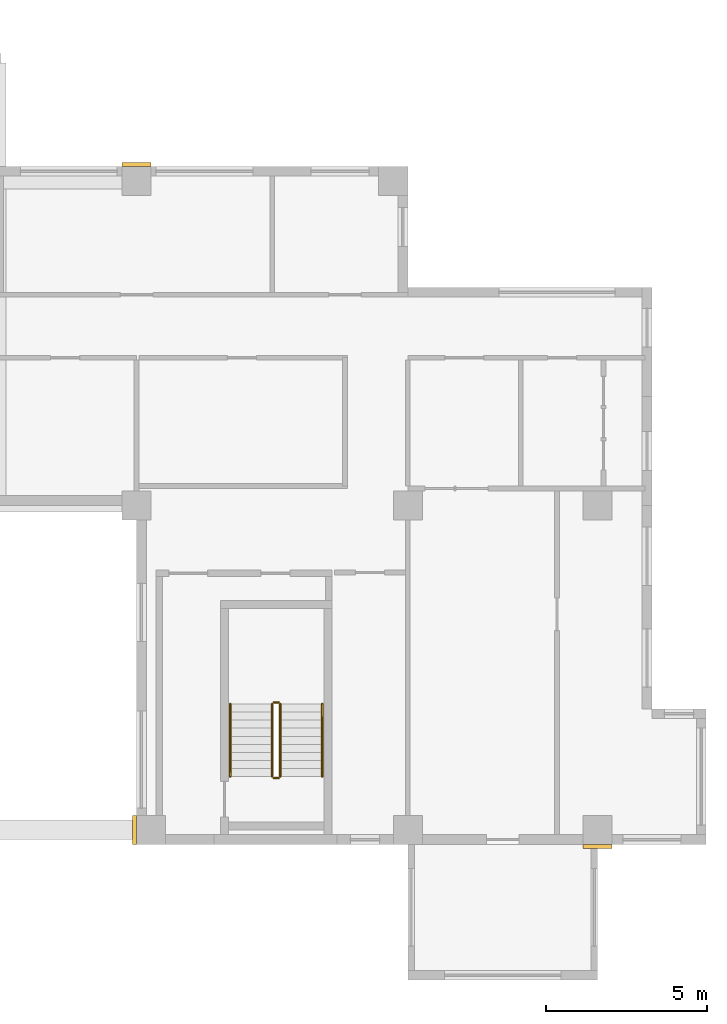
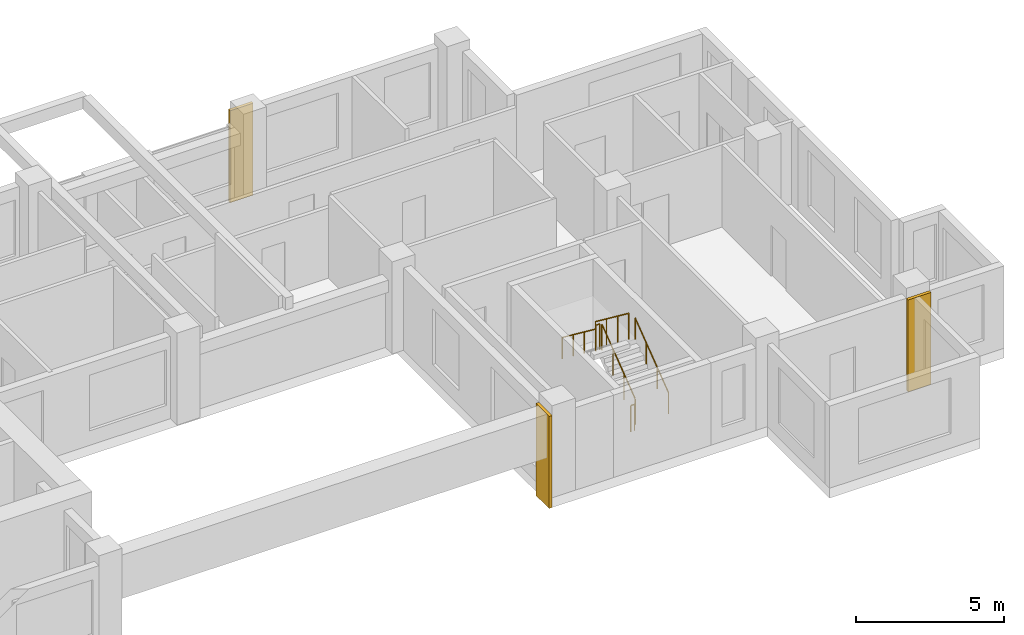
# One storey, part 10 of 11: 6 railings, 3 coverings.
"""IFC4 building model written with IfcOpenShell, lengths in metres."""

from ifc_helpers import new_model, si_unit, direction, frame, origin, origin_2d, place, context, subcontext, project, spatial, rectangle, circle, extrude, source, transform, mapped, material, type_object, element, save


model = new_model("IFC4")

# Units and contexts
model_context = context("Model", 3, precision=1e-05, world=origin(), true_north=direction((0.0, 1.0)))
body_context = subcontext(model_context, "Body", "Model", "MODEL_VIEW")
ifc_project = project(units=[si_unit("LENGTHUNIT", "METRE"), si_unit("AREAUNIT", "SQUARE_METRE"), si_unit("VOLUMEUNIT", "CUBIC_METRE"), si_unit("PLANEANGLEUNIT", "RADIAN"), si_unit("MASSUNIT", "GRAM", prefix="KILO")], contexts=[model_context])

# Site, building, storey
site_placement = place(None, origin())
site = spatial("IfcSite", under=ifc_project, at=site_placement, CompositionType="ELEMENT")
building_placement = place(site_placement, origin())
building = spatial("IfcBuilding", under=site, at=building_placement, Name="Aurelian Terraces", CompositionType="ELEMENT")
storey_placement = place(building_placement, frame((0.0, 0.0, 212.0)))
storey = spatial("IfcBuildingStorey", under=building, at=storey_placement, Name="L47", CompositionType="ELEMENT", Elevation=212.0)

# Coverings
ifc_material_1 = material(Name="Terracotta rainscreen cladding relief", Category="masonry")
covering_type = type_object("IfcCoveringType", Name="BAGUETTE-TC", PredefinedType="CLADDING", material=ifc_material_1)
shared_shape_1 = source(origin(), body_context, "Body", "SweptSolid", [
    extrude(rectangle(XDim=0.9, YDim=0.12, at=origin_2d()), origin(), (0.0, 0.0, 1.0), 3.8),
])
for number, where, z_axis, x_axis, name in (
    (1, (52.08, -0.06, -0.4), (0.0, 0.0, 1.0), (1.0, 0.0, 0.0), "BAGUETTE pier L47 3"),
    (2, (37.8, 21.06, -0.4), (0.0, 0.0, 1.0), (1.0, 0.0, 0.0), "BAGUETTE pier L47 5"),
):
    element("IfcCovering", number, at=place(storey_placement, frame(where, z_axis=z_axis, x_axis=x_axis)), inside=storey, type_object=covering_type, Name=name, PredefinedType="CLADDING", context=body_context, shape_type="MappedRepresentation", body=[
        mapped(shared_shape_1, transform((0.0, 0.0, 0.0), scale=1.0)),
    ])
shared_shape_2 = source(origin(), body_context, "Body", "SweptSolid", [
    extrude(rectangle(XDim=0.12, YDim=0.9, at=origin_2d()), origin(), (0.0, 0.0, 1.0), 3.8),
])
covering_placement = place(storey_placement, frame((37.74, 0.45, -0.4), z_axis=(0.0, 0.0, 1.0), x_axis=(1.0, 0.0, 0.0)))
element("IfcCovering", 3, at=covering_placement, inside=storey, type_object=covering_type, Name="BAGUETTE pier L47 2", PredefinedType="CLADDING", context=body_context, shape_type="MappedRepresentation", body=[
    mapped(shared_shape_2, transform((0.0, 0.0, 0.0), scale=1.0)),
])

# Railings
ifc_material_2 = material(Name="Stainless steel", Category="steel")
railing_type_1 = type_object("IfcRailingType", Name="Stair guard 1100", PredefinedType="GUARDRAIL", material=ifc_material_2)
shared_shape_3 = source(origin(), body_context, "Body", "SweptSolid", [
    extrude(circle(Radius=0.024, at=origin_2d()), frame((0.0, 0.0, 1.076), z_axis=(-1.0, 0.0, 0.0), x_axis=(0.0, -1.0, 0.0)), (0.0, 0.0, 1.0), 0.15),
    extrude(circle(Radius=0.021, at=origin_2d()), origin(), (0.0, 0.0, 1.0), 1.052),
    extrude(circle(Radius=0.021, at=origin_2d()), frame((-0.15, 0.0, 0.0)), (0.0, 0.0, 1.0), 1.052),
])
for number, where, name in (
    (4, (42.2, 4.4, 1.9), "L47 S2 stair guard 2"),
    (5, (42.2, 2.05, 0.0), "L47 S2 stair guard 4"),
):
    element("IfcRailing", number, at=place(storey_placement, frame(where)), inside=storey, type_object=railing_type_1, Name=name, PredefinedType="GUARDRAIL", context=body_context, shape_type="MappedRepresentation", body=[
        mapped(shared_shape_3, transform((0.0, 0.0, 0.0), scale=1.0)),
    ])
shared_shape_4 = source(origin(), body_context, "Body", "SweptSolid", [
    extrude(circle(Radius=0.024, at=origin_2d()), frame((0.0, 0.0, 1.076), z_axis=(0.0, 0.796162194123, 0.605083267534), x_axis=(-1.0, 0.0, 0.0)), (0.0, 0.0, 1.0), 2.8261),
    extrude(circle(Radius=0.021, at=origin_2d()), origin(), (0.0, 0.0, 1.0), 1.052),
    extrude(circle(Radius=0.021, at=origin_2d()), frame((0.0, 0.75, 0.57)), (0.0, 0.0, 1.0), 1.052),
    extrude(circle(Radius=0.021, at=origin_2d()), frame((0.0, 1.5, 1.14)), (0.0, 0.0, 1.0), 1.052),
    extrude(circle(Radius=0.021, at=origin_2d()), frame((0.0, 2.25, 1.71)), (0.0, 0.0, 1.0), 1.052),
])
railing_1_placement = place(storey_placement, frame((42.25, 2.1, 0.19)))
element("IfcRailing", 6, at=railing_1_placement, inside=storey, type_object=railing_type_1, Name="L47 S2 stair guard 1", PredefinedType="GUARDRAIL", context=body_context, shape_type="MappedRepresentation", body=[
    mapped(shared_shape_4, transform((0.0, 0.0, 0.0), scale=1.0)),
])
shared_shape_5 = source(origin(), body_context, "Body", "SweptSolid", [
    extrude(circle(Radius=0.024, at=origin_2d()), frame((0.0, 0.0, 1.076), z_axis=(0.0, -0.796162194123, 0.605083267534), x_axis=(1.0, 0.0, 0.0)), (0.0, 0.0, 1.0), 2.8261),
    extrude(circle(Radius=0.021, at=origin_2d()), origin(), (0.0, 0.0, 1.0), 1.052),
    extrude(circle(Radius=0.021, at=origin_2d()), frame((0.0, -0.75, 0.57)), (0.0, 0.0, 1.0), 1.052),
    extrude(circle(Radius=0.021, at=origin_2d()), frame((0.0, -1.5, 1.14)), (0.0, 0.0, 1.0), 1.052),
    extrude(circle(Radius=0.021, at=origin_2d()), frame((0.0, -2.25, 1.71)), (0.0, 0.0, 1.0), 1.052),
])
railing_2_placement = place(storey_placement, frame((42.0, 4.35, 2.09)))
element("IfcRailing", 7, at=railing_2_placement, inside=storey, type_object=railing_type_1, Name="L47 S2 stair guard 3", PredefinedType="GUARDRAIL", context=body_context, shape_type="MappedRepresentation", body=[
    mapped(shared_shape_5, transform((0.0, 0.0, 0.0), scale=1.0)),
])
railing_type_2 = type_object("IfcRailingType", Name="Stair handrail", PredefinedType="HANDRAIL", material=ifc_material_2)
shared_shape_6 = source(origin(), body_context, "Body", "SweptSolid", [
    extrude(circle(Radius=0.024, at=origin_2d()), frame((0.0, 0.0, 0.876), z_axis=(0.0, 0.796162194123, 0.605083267534), x_axis=(-1.0, 0.0, 0.0)), (0.0, 0.0, 1.0), 2.8261),
    extrude(circle(Radius=0.021, at=origin_2d()), origin(), (0.0, 0.0, 1.0), 0.852),
    extrude(circle(Radius=0.021, at=origin_2d()), frame((0.0, 0.75, 0.57)), (0.0, 0.0, 1.0), 0.852),
    extrude(circle(Radius=0.021, at=origin_2d()), frame((0.0, 1.5, 1.14)), (0.0, 0.0, 1.0), 0.852),
    extrude(circle(Radius=0.021, at=origin_2d()), frame((0.0, 2.25, 1.71)), (0.0, 0.0, 1.0), 0.852),
])
railing_3_placement = place(storey_placement, frame((43.55, 2.1, 0.19)))
element("IfcRailing", 8, at=railing_3_placement, inside=storey, type_object=railing_type_2, Name="L47 S2 stair handrail 1", PredefinedType="HANDRAIL", context=body_context, shape_type="MappedRepresentation", body=[
    mapped(shared_shape_6, transform((0.0, 0.0, 0.0), scale=1.0)),
])
shared_shape_7 = source(origin(), body_context, "Body", "SweptSolid", [
    extrude(circle(Radius=0.024, at=origin_2d()), frame((0.0, 0.0, 0.876), z_axis=(0.0, -0.796162194123, 0.605083267534), x_axis=(1.0, 0.0, 0.0)), (0.0, 0.0, 1.0), 2.8261),
    extrude(circle(Radius=0.021, at=origin_2d()), origin(), (0.0, 0.0, 1.0), 0.852),
    extrude(circle(Radius=0.021, at=origin_2d()), frame((0.0, -0.75, 0.57)), (0.0, 0.0, 1.0), 0.852),
    extrude(circle(Radius=0.021, at=origin_2d()), frame((0.0, -1.5, 1.14)), (0.0, 0.0, 1.0), 0.852),
    extrude(circle(Radius=0.021, at=origin_2d()), frame((0.0, -2.25, 1.71)), (0.0, 0.0, 1.0), 0.852),
])
railing_4_placement = place(storey_placement, frame((40.7, 4.35, 2.09)))
element("IfcRailing", 9, at=railing_4_placement, inside=storey, type_object=railing_type_2, Name="L47 S2 stair handrail 2", PredefinedType="HANDRAIL", context=body_context, shape_type="MappedRepresentation", body=[
    mapped(shared_shape_7, transform((0.0, 0.0, 0.0), scale=1.0)),
])

save(model, "model.ifc")
